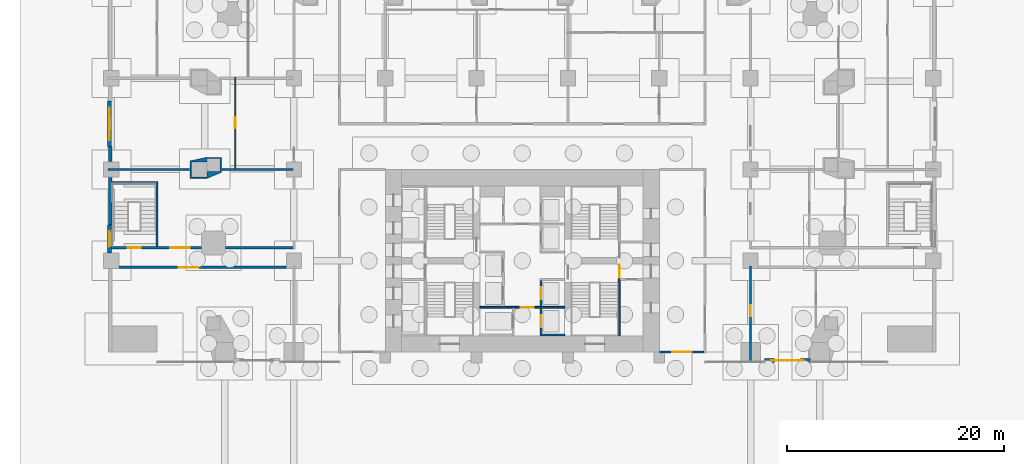
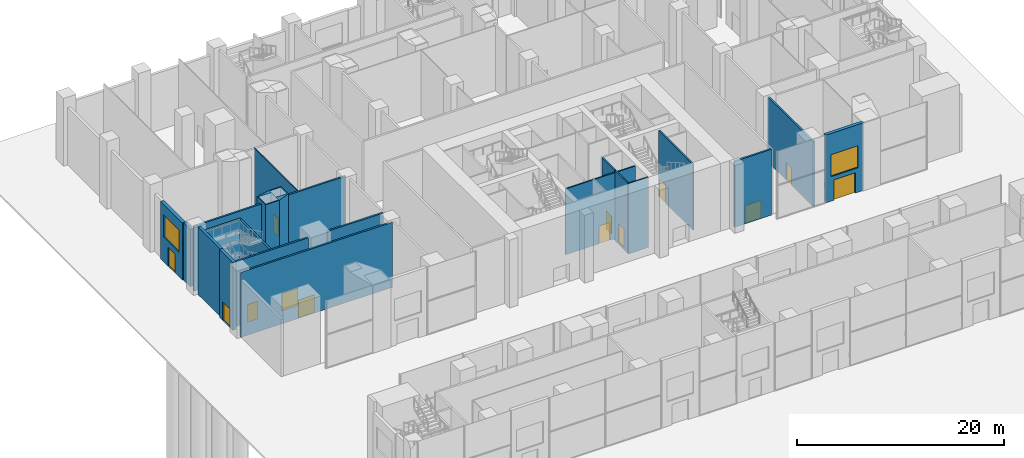
# One storey, part 15 of 31: 21 walls, 13 doors, 2 windows, 15 openings.
"""IFC4 building model written with IfcOpenShell, lengths in metres."""

from ifc_helpers import new_model, si_unit, direction, frame, frame_2d, origin, place, context, subcontext, project, spatial, polyline, rectangle, outline, extrude, material, layer, layer_set, type_object, element, fill, save


model = new_model("IFC4")

# Units and contexts
model_context = context("Model", 3, precision=1e-05, world=origin(), true_north=direction((0.0, 1.0)))
body_context = subcontext(model_context, "Body", "Model", "MODEL_VIEW")
ifc_project = project(units=[si_unit("LENGTHUNIT", "METRE"), si_unit("AREAUNIT", "SQUARE_METRE"), si_unit("VOLUMEUNIT", "CUBIC_METRE"), si_unit("PLANEANGLEUNIT", "RADIAN"), si_unit("MASSUNIT", "GRAM", prefix="KILO")], contexts=[model_context])

# Site, building, storey
site_placement = place(None, origin())
site = spatial("IfcSite", under=ifc_project, at=site_placement, CompositionType="ELEMENT")
building_placement = place(site_placement, origin())
building = spatial("IfcBuilding", under=site, at=building_placement, Name="Marenta Gate Hotel Tower", CompositionType="ELEMENT")
storey_placement = place(building_placement, origin())
storey = spatial("IfcBuildingStorey", under=building, at=storey_placement, Name="L00", CompositionType="ELEMENT", Elevation=0.0)

# Walls
ifc_material_1 = material(Name="Concrete C40 board-marked", Category="concrete")
ifc_layer_1 = layer(ifc_material_1, 0.300048828125)
ifc_layer_set_1 = layer_set([ifc_layer_1], Name="Concrete C40 board-marked")
wall_type_1 = type_object("IfcWallType", Name="Board-marked concrete wall 300 mm", PredefinedType="NOTDEFINED", material=ifc_layer_set_1)
wall_1_placement = place(storey_placement, frame((-37.889892578125, 18.89990234375, 0.0), z_axis=(0.0, 0.0, 1.0), x_axis=(0.0, -1.0, 0.0)))
element("IfcWall", 1, at=wall_1_placement, inside=storey, type_object=wall_type_1, Name="L00-CLD-NB-W003", PredefinedType="NOTDEFINED", context=body_context, shape_type="SweptSolid", body=[
    extrude(rectangle(XDim=1.35986328125, YDim=0.300048828125, at=frame_2d((0.679931640625, 0.0))), origin(), (0.0, 0.0, 1.0), 6.780029296875),
])
wall_2_placement = place(storey_placement, frame((-37.889892578125, 16.06005859375, 0.0), z_axis=(0.0, 0.0, 1.0), x_axis=(0.0, -1.0, 0.0)))
element("IfcWall", 2, at=wall_2_placement, inside=storey, type_object=wall_type_1, Name="L00-CLD-NB-W004", PredefinedType="NOTDEFINED", context=body_context, shape_type="SweptSolid", body=[
    extrude(rectangle(XDim=4.360107421875, YDim=0.300048828125, at=frame_2d((2.18017578125, 0.0))), origin(), (0.0, 0.0, 1.0), 8.0),
])

# Wall, opening, door
ifc_material_2 = material(Name="Concrete blockwork", Category="masonry")
ifc_layer_2 = layer(ifc_material_2, 0.199951171875)
ifc_layer_set_2 = layer_set([ifc_layer_2], Name="Concrete blockwork")
wall_type_2 = type_object("IfcWallType", Name="Core boundary wall 200 REI 180", PredefinedType="PARTITIONING", material=ifc_layer_set_2)
wall_3_placement = place(storey_placement, frame((12.60009765625, 0.0, 0.0), z_axis=(0.0, 0.0, 1.0), x_axis=(1.0, 0.0, 0.0)))
wall_3 = element("IfcWall", 3, at=wall_3_placement, inside=storey, type_object=wall_type_2, Name="L00-CP-EW-ES", PredefinedType="PARTITIONING", context=body_context, shape_type="SweptSolid", body=[
    extrude(rectangle(XDim=4.099853515625, YDim=0.199951171875, at=frame_2d((2.0498046875, 0.0))), origin(), (0.0, 0.0, 1.0), 7.780029296875),
])
opening_1_placement = place(wall_3_placement, frame((1.199951171875, 0.0, 0.0)))
opening_1 = element("IfcOpeningElement", 4, at=opening_1_placement, cuts=wall_3, Name="Opening XD-E", PredefinedType="OPENING", context=body_context, shape_type="SweptSolid", body=[
    extrude(rectangle(XDim=1.800048828125, YDim=2.10009765625, at=frame_2d((0.89990234375, 1.050048828125))), frame((0.0, 0.10009765625, 0.0), z_axis=(0.0, -1.0, 0.0), x_axis=(1.0, 0.0, 0.0)), (0.0, 0.0, 1.0), 0.199951171875),
])
ifc_material_3 = material(Name="Steel", Category="steel")
door_type_1 = type_object("IfcDoorType", Name="Core stair discharge door 1800x2100 EI 60", OperationType="DOUBLE_DOOR_SINGLE_SWING", PredefinedType="DOOR", material=ifc_material_3)
door_1_placement = place(opening_1_placement, frame((1.800048828125, 0.0, 0.0), z_axis=(0.0, 0.0, 1.0), x_axis=(-1.0, 0.0, 0.0)))
door_1 = element("IfcDoor", 5, at=door_1_placement, inside=storey, type_object=door_type_1, Name="XD-E", OperationType="DOUBLE_DOOR_SINGLE_SWING", OverallHeight=2.10009765625, OverallWidth=1.800048828125, PredefinedType="DOOR", context=body_context, shape_type="SweptSolid", body=[
    extrude(rectangle(XDim=1.800048828125, YDim=2.10009765625, at=frame_2d((0.89990234375, 1.050048828125))), frame((0.0, 0.02490234375, 0.0), z_axis=(0.0, -1.0, 0.0), x_axis=(1.0, 0.0, 0.0)), (0.0, 0.0, 1.0), 0.050048828125),
])
fill(opening_1, door_1)

ifc_material_4 = material(Name="Concrete blockwork", Category="masonry")
ifc_layer_3 = layer(ifc_material_4, 0.14990234375)
ifc_layer_set_3 = layer_set([ifc_layer_3], Name="Concrete blockwork")
wall_type_3 = type_object("IfcWallType", Name="Core lobby partition 150 REI 180", PredefinedType="PARTITIONING", material=ifc_layer_set_3)
wall_4_placement = place(storey_placement, frame((-3.89990234375, 4.125, 0.0), z_axis=(0.0, 0.0, 1.0), x_axis=(1.0, 0.0, 0.0)))
wall_4 = element("IfcWall", 6, at=wall_4_placement, inside=storey, type_object=wall_type_3, Name="L00-CP-CW-S", PredefinedType="PARTITIONING", context=body_context, shape_type="SweptSolid", body=[
    extrude(rectangle(XDim=7.7998046875, YDim=0.14990234375, at=frame_2d((3.89990234375, 0.0))), origin(), (0.0, 0.0, 1.0), 7.780029296875),
])
opening_2_placement = place(wall_4_placement, frame((3.75, 0.0, 0.0)))
opening_2 = element("IfcOpeningElement", 7, at=opening_2_placement, cuts=wall_4, Name="Opening FD-FFS", PredefinedType="OPENING", context=body_context, shape_type="SweptSolid", body=[
    extrude(rectangle(XDim=1.199951171875, YDim=2.10009765625, at=frame_2d((0.60009765625, 1.050048828125))), frame((0.0, 0.074951171875, 0.0), z_axis=(0.0, -1.0, 0.0), x_axis=(1.0, 0.0, 0.0)), (0.0, 0.0, 1.0), 0.14990234375),
])
ifc_material_5 = material(Name="Steel", Category="steel")
door_type_2 = type_object("IfcDoorType", Name="Core lobby door 1200x2100 FD60", OperationType="SINGLE_SWING_LEFT", PredefinedType="DOOR", material=ifc_material_5)
door_2_placement = place(opening_2_placement, origin())
door_2 = element("IfcDoor", 8, at=door_2_placement, inside=storey, type_object=door_type_2, Name="FD-FFS", OperationType="SINGLE_SWING_LEFT", OverallHeight=2.10009765625, OverallWidth=1.199951171875, PredefinedType="DOOR", context=body_context, shape_type="SweptSolid", body=[
    extrude(rectangle(XDim=1.199951171875, YDim=2.10009765625, at=frame_2d((0.60009765625, 1.050048828125))), frame((0.0, 0.02490234375, 0.0), z_axis=(0.0, -1.0, 0.0), x_axis=(1.0, 0.0, 0.0)), (0.0, 0.0, 1.0), 0.050048828125),
])
fill(opening_2, door_2)

ifc_material_6 = material(Name="Concrete C40", Category="concrete")
ifc_layer_4 = layer(ifc_material_6, 0.14990234375)
ifc_layer_set_4 = layer_set([ifc_layer_4], Name="Concrete C40")
wall_type_4 = type_object("IfcWallType", Name="Core shaft wall 150 REI 180", PredefinedType="SHEAR", material=ifc_layer_set_4)
wall_5_placement = place(storey_placement, frame((1.72509765625, 1.64990234375, -0.300048828125), z_axis=(0.0, 0.0, 1.0), x_axis=(0.0, 1.0, 0.0)))
wall_5 = element("IfcWall", 9, at=wall_5_placement, inside=storey, type_object=wall_type_4, Name="L00-SHF-CE-S-ls", PredefinedType="SHEAR", context=body_context, shape_type="SweptSolid", body=[
    extrude(rectangle(XDim=2.400146484375, YDim=0.14990234375, at=frame_2d((1.2001953125, 0.0))), origin(), (0.0, 0.0, 1.0), 8.300048828125),
])
opening_3_placement = place(wall_5_placement, frame((0.64990234375, 0.0, 0.300048828125)))
opening_3 = element("IfcOpeningElement", 10, at=opening_3_placement, cuts=wall_5, Name="Opening LD-SV1", PredefinedType="OPENING", context=body_context, shape_type="SweptSolid", body=[
    extrude(rectangle(XDim=1.10009765625, YDim=2.10009765625, at=frame_2d((0.550048828125, 1.050048828125))), frame((0.0, 0.074951171875, 0.0), z_axis=(0.0, -1.0, 0.0), x_axis=(1.0, 0.0, 0.0)), (0.0, 0.0, 1.0), 0.14990234375),
])
ifc_material_7 = material(Name="Steel", Category="steel")
door_type_3 = type_object("IfcDoorType", Name="Core lift landing door 1100x2100 E 60", OperationType="SLIDING_TO_LEFT", PredefinedType="DOOR", material=ifc_material_7)
door_3_placement = place(opening_3_placement, origin())
door_3 = element("IfcDoor", 11, at=door_3_placement, inside=storey, type_object=door_type_3, Name="LD-SV1", OperationType="SLIDING_TO_LEFT", OverallHeight=2.10009765625, OverallWidth=1.10009765625, PredefinedType="DOOR", context=body_context, shape_type="SweptSolid", body=[
    extrude(rectangle(XDim=1.10009765625, YDim=2.10009765625, at=frame_2d((0.550048828125, 1.050048828125))), frame((0.0, 0.02490234375, 0.0), z_axis=(0.0, -1.0, 0.0), x_axis=(1.0, 0.0, 0.0)), (0.0, 0.0, 1.0), 0.050048828125),
])
fill(opening_3, door_3)

# Wall
wall_6_placement = place(storey_placement, frame((1.64990234375, 1.574951171875, -0.300048828125), z_axis=(0.0, 0.0, 1.0), x_axis=(1.0, 0.0, 0.0)))
element("IfcWall", 12, at=wall_6_placement, inside=storey, type_object=wall_type_4, Name="L00-SHF-CE-S-bot", PredefinedType="SHEAR", context=body_context, shape_type="SweptSolid", body=[
    extrude(rectangle(XDim=2.25, YDim=0.14990234375, at=frame_2d((1.125, 0.0))), origin(), (0.0, 0.0, 1.0), 8.300048828125),
])

# Wall, opening, door
wall_7_placement = place(storey_placement, frame((1.72509765625, 4.199951171875, -0.300048828125), z_axis=(0.0, 0.0, 1.0), x_axis=(0.0, 1.0, 0.0)))
wall_7 = element("IfcWall", 13, at=wall_7_placement, inside=storey, type_object=wall_type_4, Name="L00-SHF-CE-front-1", PredefinedType="SHEAR", context=body_context, shape_type="SweptSolid", body=[
    extrude(rectangle(XDim=2.400146484375, YDim=0.14990234375, at=frame_2d((1.2001953125, 0.0))), origin(), (0.0, 0.0, 1.0), 8.300048828125),
])
opening_4_placement = place(wall_7_placement, frame((0.64990234375, 0.0, 0.300048828125)))
opening_4 = element("IfcOpeningElement", 14, at=opening_4_placement, cuts=wall_7, Name="Opening LD-SH1", PredefinedType="OPENING", context=body_context, shape_type="SweptSolid", body=[
    extrude(rectangle(XDim=1.10009765625, YDim=2.10009765625, at=frame_2d((0.550048828125, 1.050048828125))), frame((0.0, 0.074951171875, 0.0), z_axis=(0.0, -1.0, 0.0), x_axis=(1.0, 0.0, 0.0)), (0.0, 0.0, 1.0), 0.14990234375),
])
door_4_placement = place(opening_4_placement, origin())
door_4 = element("IfcDoor", 15, at=door_4_placement, inside=storey, type_object=door_type_3, Name="LD-SH1", OperationType="SLIDING_TO_LEFT", OverallHeight=2.10009765625, OverallWidth=1.10009765625, PredefinedType="DOOR", context=body_context, shape_type="SweptSolid", body=[
    extrude(rectangle(XDim=1.10009765625, YDim=2.10009765625, at=frame_2d((0.550048828125, 1.050048828125))), frame((0.0, 0.02490234375, 0.0), z_axis=(0.0, -1.0, 0.0), x_axis=(1.0, 0.0, 0.0)), (0.0, 0.0, 1.0), 0.050048828125),
])
fill(opening_4, door_4)

ifc_material_8 = material(Name="Concrete C40", Category="concrete")
ifc_layer_5 = layer(ifc_material_8, 0.14990234375)
ifc_layer_set_5 = layer_set([ifc_layer_5], Name="Concrete C40")
wall_type_5 = type_object("IfcWallType", Name="Core stair enclosure wall 150 REI 180", PredefinedType="SHEAR", material=ifc_layer_set_5)
wall_8_placement = place(storey_placement, frame((8.925048828125, 1.5, 0.0), z_axis=(0.0, 0.0, 1.0), x_axis=(0.0, 1.0, 0.0)))
wall_8 = element("IfcWall", 16, at=wall_8_placement, inside=storey, type_object=wall_type_5, Name="L00-SHF-SW-ES-3", PredefinedType="SHEAR", context=body_context, shape_type="SweptSolid", body=[
    extrude(rectangle(XDim=6.60009765625, YDim=0.14990234375, at=frame_2d((3.300048828125, 0.0))), origin(), (0.0, 0.0, 1.0), 7.780029296875),
])
opening_5_placement = place(wall_8_placement, frame((5.324951171875, 0.0, 0.0)))
opening_5 = element("IfcOpeningElement", 17, at=opening_5_placement, cuts=wall_8, Name="Opening SD-ES", PredefinedType="OPENING", context=body_context, shape_type="SweptSolid", body=[
    extrude(rectangle(XDim=1.199951171875, YDim=2.10009765625, at=frame_2d((0.60009765625, 1.050048828125))), frame((0.0, 0.074951171875, 0.0), z_axis=(0.0, -1.0, 0.0), x_axis=(1.0, 0.0, 0.0)), (0.0, 0.0, 1.0), 0.14990234375),
])
ifc_material_9 = material(Name="Steel", Category="steel")
door_type_4 = type_object("IfcDoorType", Name="Core stair door 1200x2100 FD60", OperationType="SINGLE_SWING_LEFT", PredefinedType="DOOR", material=ifc_material_9)
door_5_placement = place(opening_5_placement, origin())
door_5 = element("IfcDoor", 18, at=door_5_placement, inside=storey, type_object=door_type_4, Name="SD-ES", OperationType="SINGLE_SWING_LEFT", OverallHeight=2.10009765625, OverallWidth=1.199951171875, PredefinedType="DOOR", context=body_context, shape_type="SweptSolid", body=[
    extrude(rectangle(XDim=1.199951171875, YDim=2.10009765625, at=frame_2d((0.60009765625, 1.050048828125))), frame((0.0, 0.02490234375, 0.0), z_axis=(0.0, -1.0, 0.0), x_axis=(1.0, 0.0, 0.0)), (0.0, 0.0, 1.0), 0.050048828125),
])
fill(opening_5, door_5)

# Wall, openings, door, window
ifc_material_10 = material(Name="Concrete C40 board-marked", Category="concrete")
ifc_layer_6 = layer(ifc_material_10, 0.35009765625)
ifc_layer_set_6 = layer_set([ifc_layer_6], Name="Concrete C40 board-marked")
wall_type_6 = type_object("IfcWallType", Name="Entrance portal wall 350 mm", PredefinedType="NOTDEFINED", material=ifc_layer_set_6)
wall_9_placement = place(storey_placement, frame((22.300048828125, -0.77392578125, 0.0), z_axis=(0.0, 0.0, 1.0), x_axis=(1.0, 0.0, 0.0)))
wall_9 = element("IfcWall", 19, at=wall_9_placement, inside=storey, type_object=wall_type_6, Name="L00-CLD-NB-S-P1", PredefinedType="NOTDEFINED", context=body_context, shape_type="SweptSolid", body=[
    extrude(rectangle(XDim=4.199951171875, YDim=0.35009765625, at=frame_2d((2.10009765625, 0.0))), origin(), (0.0, 0.0, 1.0), 8.0),
])
opening_6_placement = place(wall_9_placement, frame((0.89990234375, 0.0, 0.0)))
opening_6 = element("IfcOpeningElement", 20, at=opening_6_placement, cuts=wall_9, Name="Opening X13", PredefinedType="OPENING", context=body_context, shape_type="SweptSolid", body=[
    extrude(rectangle(XDim=2.39990234375, YDim=2.39990234375, at=frame_2d((1.199951171875, 1.199951171875))), frame((0.0, 0.175048828125, 0.0), z_axis=(0.0, -1.0, 0.0), x_axis=(1.0, 0.0, 0.0)), (0.0, 0.0, 1.0), 0.35009765625),
])
opening_7_placement = place(wall_9_placement, frame((0.60009765625, 0.0, 2.89990234375)))
opening_7 = element("IfcOpeningElement", 21, at=opening_7_placement, cuts=wall_9, Name="Opening WT", PredefinedType="OPENING", context=body_context, shape_type="SweptSolid", body=[
    extrude(rectangle(XDim=3.0, YDim=2.60009765625, at=frame_2d((1.5, 1.300048828125))), frame((0.0, 0.175048828125, 0.0), z_axis=(0.0, -1.0, 0.0), x_axis=(1.0, 0.0, 0.0)), (0.0, 0.0, 1.0), 0.35009765625),
])
ifc_material_11 = material(Name="Bronze anodised aluminium and glass", Category="aluminium")
door_type_5 = type_object("IfcDoorType", Name="Exterior door XE 2400x2400", OperationType="DOUBLE_DOOR_DOUBLE_SWING", PredefinedType="DOOR", material=ifc_material_11)
door_6_placement = place(opening_6_placement, frame((2.39990234375, 0.0, 0.0), z_axis=(0.0, 0.0, 1.0), x_axis=(-1.0, 0.0, 0.0)))
door_6 = element("IfcDoor", 22, at=door_6_placement, inside=storey, type_object=door_type_5, Name="Entrance door X13", OperationType="DOUBLE_DOOR_DOUBLE_SWING", OverallHeight=2.39990234375, OverallWidth=2.39990234375, PredefinedType="DOOR", context=body_context, shape_type="SweptSolid", body=[
    extrude(rectangle(XDim=2.39990234375, YDim=2.39990234375, at=frame_2d((1.199951171875, 1.199951171875))), frame((0.0, 0.02490234375, 0.0), z_axis=(0.0, -1.0, 0.0), x_axis=(1.0, 0.0, 0.0)), (0.0, 0.0, 1.0), 0.050048828125),
])
fill(opening_6, door_6)
ifc_material_12 = material(Name="Tinted insulated glass in bronze anodised frame", Category="glass")
window_type = type_object("IfcWindowType", Name="Window WT 3000x2600 bronze frame", PartitioningType="SINGLE_PANEL", PredefinedType="WINDOW", material=ifc_material_12)
window_1_placement = place(opening_7_placement, origin())
window_1 = element("IfcWindow", 23, at=window_1_placement, inside=storey, type_object=window_type, Name="Window WT", OverallHeight=2.60009765625, OverallWidth=3.0, PartitioningType="SINGLE_PANEL", PredefinedType="WINDOW", context=body_context, shape_type="SweptSolid", body=[
    extrude(rectangle(XDim=3.0, YDim=2.60009765625, at=frame_2d((1.5, 1.300048828125))), frame((0.0, 0.030029296875, 0.0), z_axis=(0.0, -1.0, 0.0), x_axis=(1.0, 0.0, 0.0)), (0.0, 0.0, 1.0), 0.06005859375),
])
fill(opening_7, window_1)

wall_10_placement = place(storey_placement, frame((-37.97509765625, 23.10009765625, 0.0), z_axis=(0.0, 0.0, 1.0), x_axis=(0.0, -1.0, 0.0)))
wall_10 = element("IfcWall", 24, at=wall_10_placement, inside=storey, type_object=wall_type_6, Name="L00-CLD-NB-W-P0", PredefinedType="NOTDEFINED", context=body_context, shape_type="SweptSolid", body=[
    extrude(rectangle(XDim=4.2001953125, YDim=0.35009765625, at=frame_2d((2.10009765625, 0.0))), origin(), (0.0, 0.0, 1.0), 6.780029296875),
])
opening_8_placement = place(wall_10_placement, frame((1.39990234375, 0.0, 0.0)))
opening_8 = element("IfcOpeningElement", 25, at=opening_8_placement, cuts=wall_10, Name="Opening X21", PredefinedType="OPENING", context=body_context, shape_type="SweptSolid", body=[
    extrude(rectangle(XDim=1.39990234375, YDim=2.199951171875, at=frame_2d((0.699951171875, 1.10009765625))), frame((0.0, 0.175048828125, 0.0), z_axis=(0.0, -1.0, 0.0), x_axis=(1.0, 0.0, 0.0)), (0.0, 0.0, 1.0), 0.35009765625),
])
opening_9_placement = place(wall_10_placement, frame((0.60009765625, 0.0, 2.89990234375)))
opening_9 = element("IfcOpeningElement", 26, at=opening_9_placement, cuts=wall_10, Name="Opening WT", PredefinedType="OPENING", context=body_context, shape_type="SweptSolid", body=[
    extrude(rectangle(XDim=3.0, YDim=2.60009765625, at=frame_2d((1.5, 1.300048828125))), frame((0.0, 0.175048828125, 0.0), z_axis=(0.0, -1.0, 0.0), x_axis=(1.0, 0.0, 0.0)), (0.0, 0.0, 1.0), 0.35009765625),
])
ifc_material_13 = material(Name="Bronze anodised aluminium and glass", Category="aluminium")
door_type_6 = type_object("IfcDoorType", Name="Exterior door XB 1400x2200", OperationType="NOTDEFINED", PredefinedType="DOOR", material=ifc_material_13)
door_7_placement = place(opening_8_placement, frame((1.39990234375, 0.0, 0.0), z_axis=(0.0, 0.0, 1.0), x_axis=(-1.0, 0.0, 0.0)))
door_7 = element("IfcDoor", 27, at=door_7_placement, inside=storey, type_object=door_type_6, Name="Entrance door X21", OperationType="SINGLE_SWING_LEFT", OverallHeight=2.199951171875, OverallWidth=1.39990234375, PredefinedType="DOOR", context=body_context, shape_type="SweptSolid", body=[
    extrude(rectangle(XDim=1.39990234375, YDim=2.199951171875, at=frame_2d((0.699951171875, 1.10009765625))), frame((0.0, 0.02490234375, 0.0), z_axis=(0.0, -1.0, 0.0), x_axis=(1.0, 0.0, 0.0)), (0.0, 0.0, 1.0), 0.050048828125),
])
fill(opening_8, door_7)
window_2_placement = place(opening_9_placement, origin())
window_2 = element("IfcWindow", 28, at=window_2_placement, inside=storey, type_object=window_type, Name="Window WT", OverallHeight=2.60009765625, OverallWidth=3.0, PartitioningType="SINGLE_PANEL", PredefinedType="WINDOW", context=body_context, shape_type="SweptSolid", body=[
    extrude(rectangle(XDim=3.0, YDim=2.60009765625, at=frame_2d((1.5, 1.300048828125))), frame((0.0, 0.030029296875, 0.0), z_axis=(0.0, -1.0, 0.0), x_axis=(1.0, 0.0, 0.0)), (0.0, 0.0, 1.0), 0.06005859375),
])
fill(opening_9, window_2)

# Wall, opening, door
wall_11_placement = place(storey_placement, frame((-37.97509765625, 11.699951171875, 0.0), z_axis=(0.0, 0.0, 1.0), x_axis=(0.0, -1.0, 0.0)))
wall_11 = element("IfcWall", 29, at=wall_11_placement, inside=storey, type_object=wall_type_6, Name="L00-CLD-NB-W-P1", PredefinedType="NOTDEFINED", context=body_context, shape_type="SweptSolid", body=[
    extrude(rectangle(XDim=2.599853515625, YDim=0.35009765625, at=frame_2d((1.2998046875, 0.0))), origin(), (0.0, 0.0, 1.0), 8.0),
])
opening_10_placement = place(wall_11_placement, frame((0.60009765625, 0.0, 0.0)))
opening_10 = element("IfcOpeningElement", 30, at=opening_10_placement, cuts=wall_11, Name="Opening X22", PredefinedType="OPENING", context=body_context, shape_type="SweptSolid", body=[
    extrude(rectangle(XDim=1.39990234375, YDim=2.199951171875, at=frame_2d((0.699951171875, 1.10009765625))), frame((0.0, 0.175048828125, 0.0), z_axis=(0.0, -1.0, 0.0), x_axis=(1.0, 0.0, 0.0)), (0.0, 0.0, 1.0), 0.35009765625),
])
door_8_placement = place(opening_10_placement, frame((1.39990234375, 0.0, 0.0), z_axis=(0.0, 0.0, 1.0), x_axis=(-1.0, 0.0, 0.0)))
door_8 = element("IfcDoor", 31, at=door_8_placement, inside=storey, type_object=door_type_6, Name="Entrance door X22", OperationType="SINGLE_SWING_LEFT", OverallHeight=2.199951171875, OverallWidth=1.39990234375, PredefinedType="DOOR", context=body_context, shape_type="SweptSolid", body=[
    extrude(rectangle(XDim=1.39990234375, YDim=2.199951171875, at=frame_2d((0.699951171875, 1.10009765625))), frame((0.0, 0.02490234375, 0.0), z_axis=(0.0, -1.0, 0.0), x_axis=(1.0, 0.0, 0.0)), (0.0, 0.0, 1.0), 0.050048828125),
])
fill(opening_10, door_8)

# Wall
ifc_material_14 = material(Name="Concrete C70", Category="concrete")
ifc_layer_7 = layer(ifc_material_14, 1.60009765625)
ifc_layer_set_7 = layer_set([ifc_layer_7], Name="Concrete C70")
wall_type_7 = type_object("IfcWallType", Name="Pier wall board-marked concrete C70", PredefinedType="SOLIDWALL", material=ifc_layer_set_7)
wall_12_placement = place(storey_placement, origin())
element("IfcWall", 32, at=wall_12_placement, inside=storey, type_object=wall_type_7, Name="L00-PIER-2", PredefinedType="SOLIDWALL", context=body_context, shape_type="SweptSolid", body=[
    extrude(outline(polyline([(-30.5400390625, 17.59716796875), (-29.0126953125, 17.923095703125), (-27.679931640625, 17.923095703125), (-27.679931640625, 16.52294921875), (-28.996337890625, 15.97998046875), (-30.5400390625, 15.97998046875), (-30.5400390625, 17.59716796875)]), holes=[polyline([(-29.0, 16.603271484375), (-27.800048828125, 16.603271484375), (-27.800048828125, 17.80322265625), (-29.0, 17.80322265625), (-29.0, 16.603271484375)]), polyline([(-30.419921875, 16.10009765625), (-29.02001953125, 16.10009765625), (-29.02001953125, 17.5), (-30.419921875, 17.5), (-30.419921875, 16.10009765625)])]), origin(), (0.0, 0.0, 1.0), 8.0),
])

# Wall, opening, door
ifc_material_15 = material(Name="Gypsum board on steel stud", Category="steel")
ifc_layer_8 = layer(ifc_material_15, 0.199951171875)
ifc_layer_set_8 = layer_set([ifc_layer_8], Name="Gypsum board on steel stud")
wall_type_8 = type_object("IfcWallType", Name="Room corridor wall 200 EI 60", PredefinedType="PARTITIONING", material=ifc_layer_set_8)
wall_13_placement = place(storey_placement, frame((21.0, -0.89404296875, 0.0), z_axis=(0.0, 0.0, 1.0), x_axis=(0.0, 1.0, 0.0)))
wall_13 = element("IfcWall", 33, at=wall_13_placement, inside=storey, type_object=wall_type_8, Name="L00-PTN-W018", PredefinedType="PARTITIONING", context=body_context, shape_type="SweptSolid", body=[
    extrude(rectangle(XDim=8.7939453125, YDim=0.199951171875, at=frame_2d((4.39697265625, 0.0))), origin(), (0.0, 0.0, 1.0), 7.679931640625),
])
opening_11_placement = place(wall_13_placement, frame((4.194091796875, 0.0, 0.0)))
opening_11 = element("IfcOpeningElement", 34, at=opening_11_placement, cuts=wall_13, Name="Opening S01-10", PredefinedType="OPENING", context=body_context, shape_type="SweptSolid", body=[
    extrude(rectangle(XDim=1.0, YDim=2.10009765625, at=frame_2d((0.5, 1.050048828125))), frame((0.0, 0.10009765625, 0.0), z_axis=(0.0, -1.0, 0.0), x_axis=(1.0, 0.0, 0.0)), (0.0, 0.0, 1.0), 0.199951171875),
])
ifc_material_16 = material(Name="Timber door leaf", Category="wood")
door_type_7 = type_object("IfcDoorType", Name="Room amenity door 1000x2100 EI 30", OperationType="NOTDEFINED", PredefinedType="DOOR", material=ifc_material_16)
door_9_placement = place(opening_11_placement, origin())
door_9 = element("IfcDoor", 35, at=door_9_placement, inside=storey, type_object=door_type_7, Name="L00-PD-D010", OperationType="SINGLE_SWING_LEFT", OverallHeight=2.10009765625, OverallWidth=1.0, PredefinedType="DOOR", context=body_context, shape_type="SweptSolid", body=[
    extrude(rectangle(XDim=1.0, YDim=2.10009765625, at=frame_2d((0.5, 1.050048828125))), frame((0.0, 0.02490234375, 0.0), z_axis=(0.0, -1.0, 0.0), x_axis=(1.0, 0.0, 0.0)), (0.0, 0.0, 1.0), 0.050048828125),
])
fill(opening_11, door_9)

ifc_material_17 = material(Name="Concrete blockwork", Category="masonry")
ifc_layer_9 = layer(ifc_material_17, 0.199951171875)
ifc_layer_set_9 = layer_set([ifc_layer_9], Name="Concrete blockwork")
wall_type_9 = type_object("IfcWallType", Name="Room corridor wall 200 REI 180", PredefinedType="PARTITIONING", material=ifc_layer_set_9)
wall_14_placement = place(storey_placement, frame((-38.10009765625, 7.800048828125, 0.0), z_axis=(0.0, 0.0, 1.0), x_axis=(1.0, 0.0, 0.0)))
wall_14 = element("IfcWall", 36, at=wall_14_placement, inside=storey, type_object=wall_type_9, Name="L00-PTN-W040", PredefinedType="PARTITIONING", context=body_context, shape_type="SweptSolid", body=[
    extrude(rectangle(XDim=17.0, YDim=0.199951171875, at=frame_2d((8.5, 0.0))), origin(), (0.0, 0.0, 1.0), 7.679931640625),
])
opening_12_placement = place(wall_14_placement, frame((6.5, 0.0, 0.0)))
opening_12 = element("IfcOpeningElement", 37, at=opening_12_placement, cuts=wall_14, Name="Opening S01-03", PredefinedType="OPENING", context=body_context, shape_type="SweptSolid", body=[
    extrude(rectangle(XDim=1.800048828125, YDim=2.10009765625, at=frame_2d((0.89990234375, 1.050048828125))), frame((0.0, 0.10009765625, 0.0), z_axis=(0.0, -1.0, 0.0), x_axis=(1.0, 0.0, 0.0)), (0.0, 0.0, 1.0), 0.199951171875),
])
ifc_material_18 = material(Name="Timber door leaf", Category="wood")
door_type_8 = type_object("IfcDoorType", Name="Room amenity door 1800x2100 EI 60", OperationType="DOUBLE_DOOR_SINGLE_SWING", PredefinedType="DOOR", material=ifc_material_18)
door_10_placement = place(opening_12_placement, origin())
door_10 = element("IfcDoor", 38, at=door_10_placement, inside=storey, type_object=door_type_8, Name="L00-PD-D003", OperationType="DOUBLE_DOOR_SINGLE_SWING", OverallHeight=2.10009765625, OverallWidth=1.800048828125, PredefinedType="DOOR", context=body_context, shape_type="SweptSolid", body=[
    extrude(rectangle(XDim=1.800048828125, YDim=2.10009765625, at=frame_2d((0.89990234375, 1.050048828125))), frame((0.0, 0.02490234375, 0.0), z_axis=(0.0, -1.0, 0.0), x_axis=(1.0, 0.0, 0.0)), (0.0, 0.0, 1.0), 0.050048828125),
])
fill(opening_12, door_10)

# Wall, openings, doors
wall_15_placement = place(storey_placement, frame((-37.800048828125, 9.60009765625, 0.0), z_axis=(0.0, 0.0, 1.0), x_axis=(1.0, 0.0, 0.0)))
wall_15 = element("IfcWall", 39, at=wall_15_placement, inside=storey, type_object=wall_type_9, Name="L00-PTN-W042", PredefinedType="PARTITIONING", context=body_context, shape_type="SweptSolid", body=[
    extrude(rectangle(XDim=8.300048828125, YDim=0.199951171875, at=frame_2d((4.14990234375, 0.0))), origin(), (0.0, 0.0, 1.0), 7.679931640625),
])
opening_13_placement = place(wall_15_placement, frame((5.39990234375, 0.0, 0.0)))
opening_13 = element("IfcOpeningElement", 40, at=opening_13_placement, cuts=wall_15, Name="Opening S01-04", PredefinedType="OPENING", context=body_context, shape_type="SweptSolid", body=[
    extrude(rectangle(XDim=1.800048828125, YDim=2.10009765625, at=frame_2d((0.89990234375, 1.050048828125))), frame((0.0, 0.10009765625, 0.0), z_axis=(0.0, -1.0, 0.0), x_axis=(1.0, 0.0, 0.0)), (0.0, 0.0, 1.0), 0.199951171875),
])
opening_14_placement = place(wall_15_placement, frame((1.5, 0.0, 0.0)))
opening_14 = element("IfcOpeningElement", 41, at=opening_14_placement, cuts=wall_15, Name="Opening S01-39", PredefinedType="OPENING", context=body_context, shape_type="SweptSolid", body=[
    extrude(rectangle(XDim=1.199951171875, YDim=2.10009765625, at=frame_2d((0.60009765625, 1.050048828125))), frame((0.0, 0.10009765625, 0.0), z_axis=(0.0, -1.0, 0.0), x_axis=(1.0, 0.0, 0.0)), (0.0, 0.0, 1.0), 0.199951171875),
])
ifc_material_19 = material(Name="Hollow steel door set", Category="steel")
door_type_9 = type_object("IfcDoorType", Name="Podium stair door 1200x2100 EI 60", OperationType="NOTDEFINED", PredefinedType="DOOR", material=ifc_material_19)
door_11_placement = place(opening_14_placement, origin())
door_11 = element("IfcDoor", 42, at=door_11_placement, inside=storey, type_object=door_type_9, Name="L00-PD-D039", OperationType="SINGLE_SWING_RIGHT", OverallHeight=2.10009765625, OverallWidth=1.199951171875, PredefinedType="DOOR", context=body_context, shape_type="SweptSolid", body=[
    extrude(rectangle(XDim=1.199951171875, YDim=2.10009765625, at=frame_2d((0.60009765625, 1.050048828125))), frame((0.0, 0.02490234375, 0.0), z_axis=(0.0, -1.0, 0.0), x_axis=(1.0, 0.0, 0.0)), (0.0, 0.0, 1.0), 0.050048828125),
])
fill(opening_14, door_11)
door_12_placement = place(opening_13_placement, origin())
door_12 = element("IfcDoor", 43, at=door_12_placement, inside=storey, type_object=door_type_8, Name="L00-PD-D004", OperationType="DOUBLE_DOOR_SINGLE_SWING", OverallHeight=2.10009765625, OverallWidth=1.800048828125, PredefinedType="DOOR", context=body_context, shape_type="SweptSolid", body=[
    extrude(rectangle(XDim=1.800048828125, YDim=2.10009765625, at=frame_2d((0.89990234375, 1.050048828125))), frame((0.0, 0.02490234375, 0.0), z_axis=(0.0, -1.0, 0.0), x_axis=(1.0, 0.0, 0.0)), (0.0, 0.0, 1.0), 0.050048828125),
])
fill(opening_13, door_12)

# Wall
wall_16_placement = place(storey_placement, frame((-27.300048828125, 9.60009765625, 0.0), z_axis=(0.0, 0.0, 1.0), x_axis=(1.0, 0.0, 0.0)))
element("IfcWall", 44, at=wall_16_placement, inside=storey, type_object=wall_type_9, Name="L00-PTN-W043", PredefinedType="PARTITIONING", context=body_context, shape_type="SweptSolid", body=[
    extrude(rectangle(XDim=6.199951171875, YDim=0.199951171875, at=frame_2d((3.10009765625, 0.0))), origin(), (0.0, 0.0, 1.0), 7.679931640625),
])

# Wall, opening, door
ifc_material_20 = material(Name="Gypsum board on steel stud", Category="steel")
ifc_layer_10 = layer(ifc_material_20, 0.10009765625)
ifc_layer_set_10 = layer_set([ifc_layer_10], Name="Gypsum board on steel stud")
wall_type_10 = type_object("IfcWallType", Name="Room partition 100", PredefinedType="PARTITIONING", material=ifc_layer_set_10)
wall_17_placement = place(storey_placement, frame((-26.39990234375, 16.89990234375, 0.0), z_axis=(0.0, 0.0, 1.0), x_axis=(0.0, 1.0, 0.0)))
wall_17 = element("IfcWall", 45, at=wall_17_placement, inside=storey, type_object=wall_type_10, Name="L00-PTN-W064", PredefinedType="PARTITIONING", context=body_context, shape_type="SweptSolid", body=[
    extrude(rectangle(XDim=8.400146484375, YDim=0.10009765625, at=frame_2d((4.2001953125, 0.0))), origin(), (0.0, 0.0, 1.0), 7.679931640625),
])
opening_15_placement = place(wall_17_placement, frame((3.699951171875, 0.0, 0.0)))
opening_15 = element("IfcOpeningElement", 46, at=opening_15_placement, cuts=wall_17, Name="Opening S01-06", PredefinedType="OPENING", context=body_context, shape_type="SweptSolid", body=[
    extrude(rectangle(XDim=1.0, YDim=2.10009765625, at=frame_2d((0.5, 1.050048828125))), frame((0.0, 0.050048828125, 0.0), z_axis=(0.0, -1.0, 0.0), x_axis=(1.0, 0.0, 0.0)), (0.0, 0.0, 1.0), 0.10009765625),
])
ifc_material_21 = material(Name="Hollow steel door set", Category="steel")
door_type_10 = type_object("IfcDoorType", Name="Room service door 1000x2100", OperationType="NOTDEFINED", PredefinedType="DOOR", material=ifc_material_21)
door_13_placement = place(opening_15_placement, origin())
door_13 = element("IfcDoor", 47, at=door_13_placement, inside=storey, type_object=door_type_10, Name="L00-PD-D006", OperationType="SINGLE_SWING_RIGHT", OverallHeight=2.10009765625, OverallWidth=1.0, PredefinedType="DOOR", context=body_context, shape_type="SweptSolid", body=[
    extrude(rectangle(XDim=1.0, YDim=2.10009765625, at=frame_2d((0.5, 1.050048828125))), frame((0.0, 0.02490234375, 0.0), z_axis=(0.0, -1.0, 0.0), x_axis=(1.0, 0.0, 0.0)), (0.0, 0.0, 1.0), 0.050048828125),
])
fill(opening_15, door_13)

# Walls
ifc_material_22 = material(Name="Concrete blockwork", Category="masonry")
ifc_layer_11 = layer(ifc_material_22, 0.199951171875)
ifc_layer_set_11 = layer_set([ifc_layer_11], Name="Concrete blockwork")
wall_type_11 = type_object("IfcWallType", Name="Room party wall 200 EI 120", PredefinedType="PARTITIONING", material=ifc_layer_set_11)
wall_18_placement = place(storey_placement, frame((-38.10009765625, 16.800048828125, 0.0), z_axis=(0.0, 0.0, 1.0), x_axis=(1.0, 0.0, 0.0)))
element("IfcWall", 48, at=wall_18_placement, inside=storey, type_object=wall_type_11, Name="L00-PTN-W052", PredefinedType="PARTITIONING", context=body_context, shape_type="SweptSolid", body=[
    extrude(rectangle(XDim=7.510009765625, YDim=0.199951171875, at=frame_2d((3.7548828125, 0.0))), origin(), (0.0, 0.0, 1.0), 7.679931640625),
])
wall_19_placement = place(storey_placement, frame((-27.6298828125, 16.800048828125, 0.0), z_axis=(0.0, 0.0, 1.0), x_axis=(1.0, 0.0, 0.0)))
element("IfcWall", 49, at=wall_19_placement, inside=storey, type_object=wall_type_11, Name="L00-PTN-W053", PredefinedType="PARTITIONING", context=body_context, shape_type="SweptSolid", body=[
    extrude(rectangle(XDim=6.52978515625, YDim=0.199951171875, at=frame_2d((3.264892578125, 0.0))), origin(), (0.0, 0.0, 1.0), 7.679931640625),
])
ifc_material_23 = material(Name="Concrete blockwork", Category="masonry")
ifc_layer_12 = layer(ifc_material_23, 0.199951171875)
ifc_layer_set_12 = layer_set([ifc_layer_12], Name="Concrete blockwork")
wall_type_12 = type_object("IfcWallType", Name="Room party wall 200 REI 180", PredefinedType="PARTITIONING", material=ifc_layer_set_12)
wall_20_placement = place(storey_placement, frame((-37.739990234375, 15.60009765625, 0.0), z_axis=(0.0, 0.0, 1.0), x_axis=(1.0, 0.0, 0.0)))
element("IfcWall", 50, at=wall_20_placement, inside=storey, type_object=wall_type_12, Name="L00-PTN-W048", PredefinedType="PARTITIONING", context=body_context, shape_type="SweptSolid", body=[
    extrude(rectangle(XDim=4.239990234375, YDim=0.199951171875, at=frame_2d((2.1201171875, 0.0))), origin(), (0.0, 0.0, 1.0), 7.679931640625),
])
wall_21_placement = place(storey_placement, frame((-33.60009765625, 9.699951171875, 0.0), z_axis=(0.0, 0.0, 1.0), x_axis=(0.0, 1.0, 0.0)))
element("IfcWall", 51, at=wall_21_placement, inside=storey, type_object=wall_type_12, Name="L00-PTN-W071", PredefinedType="PARTITIONING", context=body_context, shape_type="SweptSolid", body=[
    extrude(rectangle(XDim=5.800048828125, YDim=0.199951171875, at=frame_2d((2.89990234375, 0.0))), origin(), (0.0, 0.0, 1.0), 7.679931640625),
])

save(model, "model.ifc")
